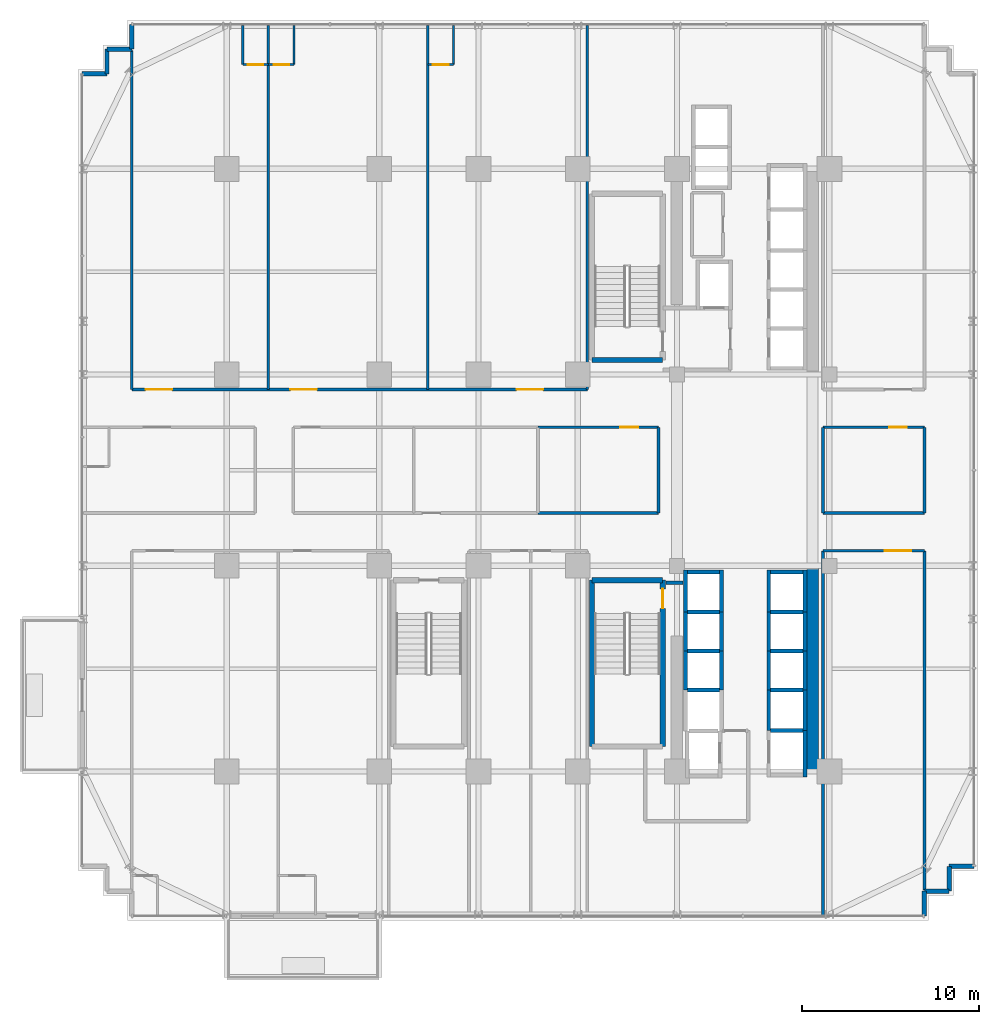
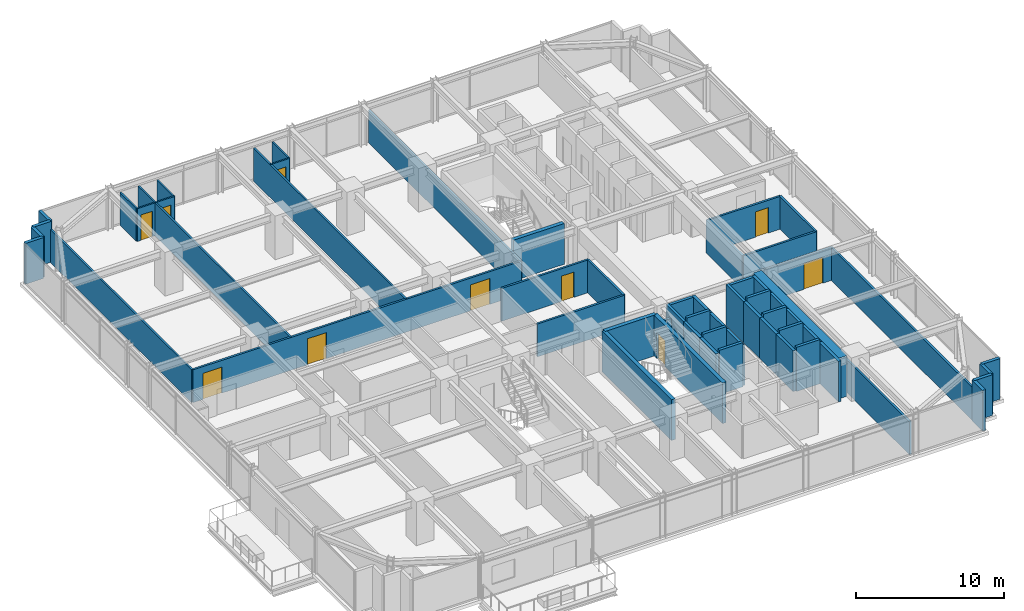
# One storey, part 32 of 37: 59 walls, 10 doors, 10 openings.
"""IFC4 building model written with IfcOpenShell, lengths in metres."""

from ifc_helpers import new_model, si_unit, direction, frame, frame_2d, origin, place, context, subcontext, project, spatial, rectangle, extrude, source, transform, mapped, material, layer, layer_set, type_object, element, fill, save


model = new_model("IFC4")

# Units and contexts
model_context = context("Model", 3, precision=1e-05, world=origin(), true_north=direction((0.0, 1.0)))
body_context = subcontext(model_context, "Body", "Model", "MODEL_VIEW")
ifc_project = project(units=[si_unit("LENGTHUNIT", "METRE"), si_unit("AREAUNIT", "SQUARE_METRE"), si_unit("VOLUMEUNIT", "CUBIC_METRE"), si_unit("PLANEANGLEUNIT", "RADIAN"), si_unit("MASSUNIT", "GRAM", prefix="KILO")], contexts=[model_context])

# Site, building, storey
site_placement = place(None, origin())
site = spatial("IfcSite", under=ifc_project, at=site_placement, CompositionType="ELEMENT")
building_placement = place(site_placement, origin())
building = spatial("IfcBuilding", under=site, at=building_placement, Name="Nahalor Promenade Grand Hotel", CompositionType="ELEMENT")
storey_placement = place(building_placement, frame((0.0, 0.0, 36.050048828125)))
storey = spatial("IfcBuildingStorey", under=building, at=storey_placement, Name="L07", CompositionType="ELEMENT", Elevation=36.050048828125)

# Walls
ifc_material_1 = material(Name="Concrete B-60 (C50/60)", Category="concrete")
ifc_layer_1 = layer(ifc_material_1, 0.64990234375)
ifc_layer_set_1 = layer_set([ifc_layer_1], Name="Concrete B-60 (C50/60)")
wall_type_1 = type_object("IfcWallType", Name="Wall-CoreShear-650", PredefinedType="SHEAR", material=ifc_layer_set_1)
shared_shape_1 = source(origin(), body_context, "Body", "SweptSolid", [
    extrude(rectangle(XDim=11.60009765625, YDim=0.64990234375, at=frame_2d((5.800048828125, 0.0))), origin(), (0.0, 0.0, 1.0), 3.369873046875),
])
wall_1_placement = place(storey_placement, frame((16.050048828125, -17.0, 0.0), z_axis=(0.0, 0.0, 1.0), x_axis=(0.0, 1.0, 0.0)))
element("IfcWall", 1, at=wall_1_placement, inside=storey, type_object=wall_type_1, Name="CWALL-L07-SE", PredefinedType="SHEAR", context=body_context, shape_type="MappedRepresentation", body=[
    mapped(shared_shape_1, transform((0.0, 0.0, 0.0), scale=1.0)),
])
ifc_material_2 = material(Name="Concrete B-50 (C40/50)", Category="concrete")
ifc_layer_2 = layer(ifc_material_2, 0.300048828125)
ifc_layer_set_2 = layer_set([ifc_layer_2], Name="Concrete B-50 (C40/50)")
wall_type_2 = type_object("IfcWallType", Name="Wall-ShaftShear-300", PredefinedType="SHEAR", material=ifc_layer_set_2)
shared_shape_2 = source(origin(), body_context, "Body", "SweptSolid", [
    extrude(rectangle(XDim=3.97998046875, YDim=0.300048828125, at=frame_2d((1.989990234375, 0.0))), origin(), (0.0, 0.0, 1.0), 3.369873046875),
])
for number, where, z_axis, x_axis, name in (
    (2, (3.610107421875, 6.2099609375, 0.0), (0.0, 0.0, 1.0), (1.0, 0.0, 0.0), "L07 Exit Stair ST1 Shaft Wall S"),
    (3, (3.610107421875, -6.2099609375, 0.0), (0.0, 0.0, 1.0), (1.0, 0.0, 0.0), "L07 Exit Stair ST2 Shaft Wall N"),
):
    element("IfcWall", number, at=place(storey_placement, frame(where, z_axis=z_axis, x_axis=x_axis)), inside=storey, type_object=wall_type_2, Name=name, PredefinedType="SHEAR", context=body_context, shape_type="MappedRepresentation", body=[
        mapped(shared_shape_2, transform((0.0, 0.0, 0.0), scale=1.0)),
    ])
shared_shape_3 = source(origin(), body_context, "Body", "SweptSolid", [
    extrude(rectangle(XDim=9.380126953125, YDim=0.300048828125, at=frame_2d((4.68994140625, 0.0))), origin(), (0.0, 0.0, 1.0), 3.369873046875),
])
wall_2_placement = place(storey_placement, frame((3.610107421875, -15.590087890625, 0.0), z_axis=(0.0, 0.0, 1.0), x_axis=(0.0, 1.0, 0.0)))
element("IfcWall", 4, at=wall_2_placement, inside=storey, type_object=wall_type_2, Name="L07 Exit Stair ST2 Shaft Wall W", PredefinedType="SHEAR", context=body_context, shape_type="MappedRepresentation", body=[
    mapped(shared_shape_3, transform((0.0, 0.0, 0.0), scale=1.0)),
])

# Wall, opening, door
wall_3_placement = place(storey_placement, frame((7.590087890625, -15.590087890625, 0.0), z_axis=(0.0, 0.0, 1.0), x_axis=(0.0, 1.0, 0.0)))
wall_3 = element("IfcWall", 5, at=wall_3_placement, inside=storey, type_object=wall_type_2, Name="L07 Exit Stair ST2 Shaft Wall E", PredefinedType="SHEAR", context=body_context, shape_type="MappedRepresentation", body=[
    mapped(shared_shape_3, transform((0.0, 0.0, 0.0), scale=1.0)),
])
opening_1_placement = place(wall_3_placement, frame((7.7900390625, 0.0, 0.0)))
opening_1 = element("IfcOpeningElement", 6, at=opening_1_placement, cuts=wall_3, Name="Opening D-ST1", PredefinedType="OPENING", context=body_context, shape_type="SweptSolid", body=[
    extrude(rectangle(XDim=1.10009765625, YDim=2.14990234375, at=frame_2d((0.550048828125, 1.074951171875))), frame((0.0, 0.159912109375, 0.0), z_axis=(0.0, -1.0, 0.0), x_axis=(1.0, 0.0, 0.0)), (0.0, 0.0, 1.0), 0.320068359375),
])
ifc_material_3 = material(Name="Steel S355JR", Category="steel")
door_type_1 = type_object("IfcDoorType", Name="Door-StairFire-1100", OperationType="NOTDEFINED", PredefinedType="DOOR", material=ifc_material_3)
shared_shape_4 = source(origin(), body_context, "Body", "SweptSolid", [
    extrude(rectangle(XDim=1.10009765625, YDim=2.14990234375, at=frame_2d((0.550048828125, 1.074951171875))), frame((0.0, 0.02490234375, 0.0), z_axis=(0.0, -1.0, 0.0), x_axis=(1.0, 0.0, 0.0)), (0.0, 0.0, 1.0), 0.050048828125),
])
door_1_placement = place(opening_1_placement, origin())
door_1 = element("IfcDoor", 7, at=door_1_placement, inside=storey, type_object=door_type_1, Name="DR-STAIR-ST2-L07", OperationType="SINGLE_SWING_RIGHT", OverallHeight=2.14990234375, OverallWidth=1.10009765625, PredefinedType="DOOR", context=body_context, shape_type="MappedRepresentation", body=[
    mapped(shared_shape_4, transform((0.0, 0.0, 0.0), scale=1.0)),
])
fill(opening_1, door_1)

# Walls
ifc_layer_3 = layer(ifc_material_2, 0.219970703125)
ifc_layer_set_3 = layer_set([ifc_layer_3], Name="Concrete B-50 (C40/50)")
wall_type_3 = type_object("IfcWallType", Name="Wall-LiftShaft-220", PredefinedType="SHEAR", material=ifc_layer_set_3)
shared_shape_5 = source(origin(), body_context, "Body", "SweptSolid", [
    extrude(rectangle(XDim=2.360107421875, YDim=0.219970703125, at=frame_2d((1.18017578125, 0.0))), origin(), (0.0, 0.0, 1.0), 3.369873046875),
])
for number, where, z_axis, x_axis, name in (
    (8, (13.580078125, -8.0, 0.0), (0.0, 0.0, 1.0), (0.0, 1.0, 0.0), "L07 Lift PL5 Hoistway Wall W"),
    (9, (15.6201171875, -8.0, 0.0), (0.0, 0.0, 1.0), (0.0, 1.0, 0.0), "L07 Lift PL5 Hoistway Wall E"),
    (10, (8.8798828125, -8.0, 0.0), (0.0, 0.0, 1.0), (0.0, 1.0, 0.0), "L07 Lift PL9 Hoistway Wall W"),
    (11, (10.919921875, -8.0, 0.0), (0.0, 0.0, 1.0), (0.0, 1.0, 0.0), "L07 Lift PL9 Hoistway Wall E"),
):
    element("IfcWall", number, at=place(storey_placement, frame(where, z_axis=z_axis, x_axis=x_axis)), inside=storey, type_object=wall_type_3, Name=name, PredefinedType="SHEAR", context=body_context, shape_type="MappedRepresentation", body=[
        mapped(shared_shape_5, transform((0.0, 0.0, 0.0), scale=1.0)),
    ])
shared_shape_6 = source(origin(), body_context, "Body", "SweptSolid", [
    extrude(rectangle(XDim=1.820068359375, YDim=0.219970703125, at=frame_2d((0.91015625, 0.0))), origin(), (0.0, 0.0, 1.0), 3.369873046875),
])
for number, where, z_axis, x_axis, name in (
    (12, (13.68994140625, -5.75, 0.0), (0.0, 0.0, 1.0), (1.0, 0.0, 0.0), "L07 Lift PL5 Hoistway Wall N"),
    (13, (8.989990234375, -5.75, 0.0), (0.0, 0.0, 1.0), (1.0, 0.0, 0.0), "L07 Lift PL9 Hoistway Wall N"),
):
    element("IfcWall", number, at=place(storey_placement, frame(where, z_axis=z_axis, x_axis=x_axis)), inside=storey, type_object=wall_type_3, Name=name, PredefinedType="SHEAR", context=body_context, shape_type="MappedRepresentation", body=[
        mapped(shared_shape_6, transform((0.0, 0.0, 0.0), scale=1.0)),
    ])
shared_shape_7 = source(origin(), body_context, "Body", "SweptSolid", [
    extrude(rectangle(XDim=1.820068359375, YDim=0.219970703125, at=frame_2d((0.91015625, 0.0))), origin(), (0.0, 0.0, 1.0), 3.64990234375),
])
for number, where, z_axis, x_axis, name in (
    (14, (13.68994140625, -8.0, 0.0), (0.0, 0.0, 1.0), (1.0, 0.0, 0.0), "L07 Lift PL6 Hoistway Wall N"),
    (15, (13.68994140625, -10.199951171875, 0.0), (0.0, 0.0, 1.0), (1.0, 0.0, 0.0), "L07 Lift PL7 Hoistway Wall N"),
    (16, (13.68994140625, -12.39990234375, 0.0), (0.0, 0.0, 1.0), (1.0, 0.0, 0.0), "L07 Lift PL8 Hoistway Wall N"),
    (17, (8.989990234375, -8.0, 0.0), (0.0, 0.0, 1.0), (1.0, 0.0, 0.0), "L07 Lift PL10 Hoistway Wall N"),
    (18, (8.989990234375, -10.199951171875, 0.0), (0.0, 0.0, 1.0), (1.0, 0.0, 0.0), "L07 Lift PL11 Hoistway Wall N"),
    (19, (8.989990234375, -12.39990234375, 0.0), (0.0, 0.0, 1.0), (1.0, 0.0, 0.0), "L07 Lift PL12 Hoistway Wall N"),
    (20, (13.68994140625, -14.699951171875, 0.0), (0.0, 0.0, 1.0), (1.0, 0.0, 0.0), "L07 Lift SV2 Hoistway Wall N"),
):
    element("IfcWall", number, at=place(storey_placement, frame(where, z_axis=z_axis, x_axis=x_axis)), inside=storey, type_object=wall_type_3, Name=name, PredefinedType="SHEAR", context=body_context, shape_type="MappedRepresentation", body=[
        mapped(shared_shape_7, transform((0.0, 0.0, 0.0), scale=1.0)),
    ])
shared_shape_8 = source(origin(), body_context, "Body", "SweptSolid", [
    extrude(rectangle(XDim=2.199951171875, YDim=0.219970703125, at=frame_2d((1.10009765625, 0.0))), origin(), (0.0, 0.0, 1.0), 3.369873046875),
])
for number, where, z_axis, x_axis, name in (
    (21, (13.580078125, -10.199951171875, 0.0), (0.0, 0.0, 1.0), (0.0, 1.0, 0.0), "L07 Lift PL6 Hoistway Wall W"),
    (22, (15.6201171875, -10.199951171875, 0.0), (0.0, 0.0, 1.0), (0.0, 1.0, 0.0), "L07 Lift PL6 Hoistway Wall E"),
    (23, (13.580078125, -12.39990234375, 0.0), (0.0, 0.0, 1.0), (0.0, 1.0, 0.0), "L07 Lift PL7 Hoistway Wall W"),
    (24, (15.6201171875, -12.39990234375, 0.0), (0.0, 0.0, 1.0), (0.0, 1.0, 0.0), "L07 Lift PL7 Hoistway Wall E"),
    (25, (8.8798828125, -10.199951171875, 0.0), (0.0, 0.0, 1.0), (0.0, 1.0, 0.0), "L07 Lift PL10 Hoistway Wall W"),
    (26, (10.919921875, -10.199951171875, 0.0), (0.0, 0.0, 1.0), (0.0, 1.0, 0.0), "L07 Lift PL10 Hoistway Wall E"),
    (27, (8.8798828125, -12.39990234375, 0.0), (0.0, 0.0, 1.0), (0.0, 1.0, 0.0), "L07 Lift PL11 Hoistway Wall W"),
    (28, (10.919921875, -12.39990234375, 0.0), (0.0, 0.0, 1.0), (0.0, 1.0, 0.0), "L07 Lift PL11 Hoistway Wall E"),
):
    element("IfcWall", number, at=place(storey_placement, frame(where, z_axis=z_axis, x_axis=x_axis)), inside=storey, type_object=wall_type_3, Name=name, PredefinedType="SHEAR", context=body_context, shape_type="MappedRepresentation", body=[
        mapped(shared_shape_8, transform((0.0, 0.0, 0.0), scale=1.0)),
    ])
shared_shape_9 = source(origin(), body_context, "Body", "SweptSolid", [
    extrude(rectangle(XDim=2.300048828125, YDim=0.219970703125, at=frame_2d((1.14990234375, 0.0))), origin(), (0.0, 0.0, 1.0), 3.369873046875),
])
for number, where, z_axis, x_axis, name in (
    (29, (13.580078125, -14.699951171875, 0.0), (0.0, 0.0, 1.0), (0.0, 1.0, 0.0), "L07 Lift PL8 Hoistway Wall W"),
    (30, (15.6201171875, -14.699951171875, 0.0), (0.0, 0.0, 1.0), (0.0, 1.0, 0.0), "L07 Lift PL8 Hoistway Wall E"),
):
    element("IfcWall", number, at=place(storey_placement, frame(where, z_axis=z_axis, x_axis=x_axis)), inside=storey, type_object=wall_type_3, Name=name, PredefinedType="SHEAR", context=body_context, shape_type="MappedRepresentation", body=[
        mapped(shared_shape_9, transform((0.0, 0.0, 0.0), scale=1.0)),
    ])
shared_shape_10 = source(origin(), body_context, "Body", "SweptSolid", [
    extrude(rectangle(XDim=2.610107421875, YDim=0.219970703125, at=frame_2d((1.30517578125, 0.0))), origin(), (0.0, 0.0, 1.0), 3.369873046875),
])
wall_4_placement = place(storey_placement, frame((15.6201171875, -17.31005859375, 0.0), z_axis=(0.0, 0.0, 1.0), x_axis=(0.0, 1.0, 0.0)))
element("IfcWall", 31, at=wall_4_placement, inside=storey, type_object=wall_type_3, Name="L07 Lift SV2 Hoistway Wall E", PredefinedType="SHEAR", context=body_context, shape_type="MappedRepresentation", body=[
    mapped(shared_shape_10, transform((0.0, 0.0, 0.0), scale=1.0)),
])
ifc_material_4 = material(Name="Concrete B-40 (C32/40)", Category="concrete")
ifc_layer_4 = layer(ifc_material_4, 0.25)
ifc_layer_set_4 = layer_set([ifc_layer_4], Name="Concrete B-40 (C32/40)")
wall_type_4 = type_object("IfcWallType", Name="Wall-BronzePier-250", PredefinedType="STANDARD", material=ifc_layer_set_4)
shared_shape_11 = source(origin(), body_context, "Body", "SweptSolid", [
    extrude(rectangle(XDim=1.39990234375, YDim=0.25, at=frame_2d((0.699951171875, 0.0))), origin(), (0.0, 0.0, 1.0), 3.369873046875),
])
for number, where, z_axis, x_axis, name in (
    (32, (22.360107421875, -25.159912109375, 0.0), (0.0, 0.0, 1.0), (0.0, 1.0, 0.0), "W-L07-SR-01"),
    (33, (22.360107421875, -23.760009765625, 0.0), (0.0, 0.0, 1.0), (1.0, 0.0, 0.0), "W-L07-SR-02"),
    (34, (23.760009765625, -23.760009765625, 0.0), (0.0, 0.0, 1.0), (0.0, 1.0, 0.0), "W-L07-SR-03"),
    (35, (23.760009765625, -22.360107421875, 0.0), (0.0, 0.0, 1.0), (1.0, 0.0, 0.0), "W-L07-SR-04"),
    (36, (-22.360107421875, 23.760009765625, 0.0), (0.0, 0.0, 1.0), (0.0, 1.0, 0.0), "W-L07-SR-09"),
    (37, (-23.760009765625, 23.760009765625, 0.0), (0.0, 0.0, 1.0), (1.0, 0.0, 0.0), "W-L07-SR-10"),
    (38, (-23.760009765625, 22.360107421875, 0.0), (0.0, 0.0, 1.0), (0.0, 1.0, 0.0), "W-L07-SR-11"),
    (39, (-25.159912109375, 22.360107421875, 0.0), (0.0, 0.0, 1.0), (1.0, 0.0, 0.0), "W-L07-SR-12"),
):
    element("IfcWall", number, at=place(storey_placement, frame(where, z_axis=z_axis, x_axis=x_axis)), inside=storey, type_object=wall_type_4, Name=name, PredefinedType="STANDARD", context=body_context, shape_type="MappedRepresentation", body=[
        mapped(shared_shape_11, transform((0.0, 0.0, 0.0), scale=1.0)),
    ])
ifc_layer_5 = layer(ifc_material_4, 0.199951171875)
ifc_layer_set_5 = layer_set([ifc_layer_5], Name="Concrete B-40 (C32/40)")
wall_type_5 = type_object("IfcWallType", Name="Wall-PartFire-200", PredefinedType="PARTITIONING", material=ifc_layer_set_5)
shared_shape_12 = source(origin(), body_context, "Body", "SweptSolid", [
    extrude(rectangle(XDim=0.969970703125, YDim=0.199951171875, at=frame_2d((0.48486328125, 0.0))), origin(), (0.0, 0.0, 1.0), 2.7099609375),
])
wall_5_placement = place(storey_placement, frame((7.77001953125, -6.35009765625, 0.0), z_axis=(0.0, 0.0, 1.0), x_axis=(1.0, 0.0, 0.0)))
element("IfcWall", 40, at=wall_5_placement, inside=storey, type_object=wall_type_5, Name="W-L07-FF2-N2", PredefinedType="PARTITIONING", context=body_context, shape_type="MappedRepresentation", body=[
    mapped(shared_shape_12, transform((0.0, 0.0, 0.0), scale=1.0)),
])

# Wall, opening, door
ifc_material_5 = material(Name="Acoustic Mineral Gypsum", Category="gypsum")
ifc_layer_6 = layer(ifc_material_5, 0.159912109375)
ifc_layer_set_6 = layer_set([ifc_layer_6], Name="Acoustic Mineral Gypsum")
wall_type_6 = type_object("IfcWallType", Name="Wall-PartCorridor-160", PredefinedType="PARTITIONING", material=ifc_layer_set_6)
shared_shape_13 = source(origin(), body_context, "Body", "SweptSolid", [
    extrude(rectangle(XDim=5.710205078125, YDim=0.159912109375, at=frame_2d((2.85498046875, 0.0))), origin(), (0.0, 0.0, 1.0), 2.7099609375),
])
wall_6_placement = place(storey_placement, frame((16.64990234375, -4.550048828125, 0.0), z_axis=(0.0, 0.0, 1.0), x_axis=(1.0, 0.0, 0.0)))
wall_6 = element("IfcWall", 41, at=wall_6_placement, inside=storey, type_object=wall_type_6, Name="W-L07-ESE-N", PredefinedType="PARTITIONING", context=body_context, shape_type="MappedRepresentation", body=[
    mapped(shared_shape_13, transform((0.0, 0.0, 0.0), scale=1.0)),
])
opening_2_placement = place(wall_6_placement, frame((3.47900390625, 0.0, 0.0)))
opening_2 = element("IfcOpeningElement", 42, at=opening_2_placement, cuts=wall_6, Name="Opening D-02", PredefinedType="OPENING", context=body_context, shape_type="SweptSolid", body=[
    extrude(rectangle(XDim=1.5, YDim=2.14990234375, at=frame_2d((0.75, 1.074951171875))), frame((0.0, 0.08984375, 0.0), z_axis=(0.0, -1.0, 0.0), x_axis=(1.0, 0.0, 0.0)), (0.0, 0.0, 1.0), 0.179931640625),
])
ifc_material_6 = material(Name="Fire-Rated Timber Composite", Category="wood")
door_type_2 = type_object("IfcDoorType", Name="Door-SuiteDouble-1500", OperationType="DOUBLE_DOOR_SINGLE_SWING", PredefinedType="DOOR", material=ifc_material_6)
shared_shape_14 = source(origin(), body_context, "Body", "SweptSolid", [
    extrude(rectangle(XDim=1.5, YDim=2.14990234375, at=frame_2d((0.75, 1.074951171875))), frame((0.0, 0.02490234375, 0.0), z_axis=(0.0, -1.0, 0.0), x_axis=(1.0, 0.0, 0.0)), (0.0, 0.0, 1.0), 0.050048828125),
])
door_2_placement = place(opening_2_placement, frame((1.5, 0.0, 0.0), z_axis=(0.0, 0.0, 1.0), x_axis=(-1.0, 0.0, 0.0)))
door_2 = element("IfcDoor", 43, at=door_2_placement, inside=storey, type_object=door_type_2, Name="DR-L07-ESE", OperationType="DOUBLE_DOOR_SINGLE_SWING", OverallHeight=2.14990234375, OverallWidth=1.5, PredefinedType="DOOR", context=body_context, shape_type="MappedRepresentation", body=[
    mapped(shared_shape_14, transform((0.0, 0.0, 0.0), scale=1.0)),
])
fill(opening_2, door_2)

# Wall
wall_7_placement = place(storey_placement, frame((16.64990234375, -2.419921875, 0.0), z_axis=(0.0, 0.0, 1.0), x_axis=(1.0, 0.0, 0.0)))
element("IfcWall", 44, at=wall_7_placement, inside=storey, type_object=wall_type_6, Name="W-L07-ECW-S", PredefinedType="PARTITIONING", context=body_context, shape_type="MappedRepresentation", body=[
    mapped(shared_shape_13, transform((0.0, 0.0, 0.0), scale=1.0)),
])

# Wall, opening, door
wall_8_placement = place(storey_placement, frame((16.64990234375, 2.419921875, 0.0), z_axis=(0.0, 0.0, 1.0), x_axis=(1.0, 0.0, 0.0)))
wall_8 = element("IfcWall", 45, at=wall_8_placement, inside=storey, type_object=wall_type_6, Name="W-L07-ECW-N", PredefinedType="PARTITIONING", context=body_context, shape_type="MappedRepresentation", body=[
    mapped(shared_shape_13, transform((0.0, 0.0, 0.0), scale=1.0)),
])
opening_3_placement = place(wall_8_placement, frame((3.72900390625, 0.0, 0.0)))
opening_3 = element("IfcOpeningElement", 46, at=opening_3_placement, cuts=wall_8, Name="Opening D-04", PredefinedType="OPENING", context=body_context, shape_type="SweptSolid", body=[
    extrude(rectangle(XDim=1.0, YDim=2.10009765625, at=frame_2d((0.5, 1.050048828125))), frame((0.0, 0.08984375, 0.0), z_axis=(0.0, -1.0, 0.0), x_axis=(1.0, 0.0, 0.0)), (0.0, 0.0, 1.0), 0.179931640625),
])
door_type_3 = type_object("IfcDoorType", Name="Door-ServiceFire-1000", OperationType="NOTDEFINED", PredefinedType="DOOR", material=ifc_material_3)
shared_shape_15 = source(origin(), body_context, "Body", "SweptSolid", [
    extrude(rectangle(XDim=1.0, YDim=2.10009765625, at=frame_2d((0.5, 1.050048828125))), frame((0.0, 0.02490234375, 0.0), z_axis=(0.0, -1.0, 0.0), x_axis=(1.0, 0.0, 0.0)), (0.0, 0.0, 1.0), 0.050048828125),
])
door_3_placement = place(opening_3_placement, frame((1.0, 0.0, 0.0), z_axis=(0.0, 0.0, 1.0), x_axis=(-1.0, 0.0, 0.0)))
door_3 = element("IfcDoor", 47, at=door_3_placement, inside=storey, type_object=door_type_3, Name="DR-L07-ECW", OperationType="SINGLE_SWING_LEFT", OverallHeight=2.10009765625, OverallWidth=1.0, PredefinedType="DOOR", context=body_context, shape_type="MappedRepresentation", body=[
    mapped(shared_shape_15, transform((0.0, 0.0, 0.0), scale=1.0)),
])
fill(opening_3, door_3)

# Walls
shared_shape_16 = source(origin(), body_context, "Body", "SweptSolid", [
    extrude(rectangle(XDim=20.550048828125, YDim=0.159912109375, at=frame_2d((10.27490234375, 0.0))), origin(), (0.0, 0.0, 1.0), 2.7099609375),
])
wall_9_placement = place(storey_placement, frame((16.64990234375, -25.10009765625, 0.0), z_axis=(0.0, 0.0, 1.0), x_axis=(0.0, 1.0, 0.0)))
element("IfcWall", 48, at=wall_9_placement, inside=storey, type_object=wall_type_6, Name="W-L07-ESE-W", PredefinedType="PARTITIONING", context=body_context, shape_type="MappedRepresentation", body=[
    mapped(shared_shape_16, transform((0.0, 0.0, 0.0), scale=1.0)),
])
shared_shape_17 = source(origin(), body_context, "Body", "SweptSolid", [
    extrude(rectangle(XDim=19.1298828125, YDim=0.159912109375, at=frame_2d((9.56494140625, 0.0))), origin(), (0.0, 0.0, 1.0), 2.7099609375),
])
wall_10_placement = place(storey_placement, frame((22.360107421875, -23.679931640625, 0.0), z_axis=(0.0, 0.0, 1.0), x_axis=(0.0, 1.0, 0.0)))
element("IfcWall", 49, at=wall_10_placement, inside=storey, type_object=wall_type_6, Name="W-L07-ESE-E", PredefinedType="PARTITIONING", context=body_context, shape_type="MappedRepresentation", body=[
    mapped(shared_shape_17, transform((0.0, 0.0, 0.0), scale=1.0)),
])

# Wall, openings, doors
shared_shape_18 = source(origin(), body_context, "Body", "SweptSolid", [
    extrude(rectangle(XDim=25.7001953125, YDim=0.159912109375, at=frame_2d((12.85009765625, 0.0))), origin(), (0.0, 0.0, 1.0), 2.7099609375),
])
wall_11_placement = place(storey_placement, frame((-22.360107421875, 4.550048828125, 0.0), z_axis=(0.0, 0.0, 1.0), x_axis=(1.0, 0.0, 0.0)))
wall_11 = element("IfcWall", 50, at=wall_11_placement, inside=storey, type_object=wall_type_6, Name="W-L07-CORR-N", PredefinedType="PARTITIONING", context=body_context, shape_type="MappedRepresentation", body=[
    mapped(shared_shape_18, transform((0.0, 0.0, 0.0), scale=1.0)),
])
opening_4_placement = place(wall_11_placement, frame((0.777099609375, 0.0, 0.0)))
opening_4 = element("IfcOpeningElement", 51, at=opening_4_placement, cuts=wall_11, Name="Opening D-02", PredefinedType="OPENING", context=body_context, shape_type="SweptSolid", body=[
    extrude(rectangle(XDim=1.5, YDim=2.14990234375, at=frame_2d((0.75, 1.074951171875))), frame((0.0, 0.08984375, 0.0), z_axis=(0.0, -1.0, 0.0), x_axis=(1.0, 0.0, 0.0)), (0.0, 0.0, 1.0), 0.179931640625),
])
opening_5_placement = place(wall_11_placement, frame((8.94091796875, 0.0, 0.0)))
opening_5 = element("IfcOpeningElement", 52, at=opening_5_placement, cuts=wall_11, Name="Opening D-02", PredefinedType="OPENING", context=body_context, shape_type="SweptSolid", body=[
    extrude(rectangle(XDim=1.5, YDim=2.14990234375, at=frame_2d((0.75, 1.074951171875))), frame((0.0, 0.08984375, 0.0), z_axis=(0.0, -1.0, 0.0), x_axis=(1.0, 0.0, 0.0)), (0.0, 0.0, 1.0), 0.179931640625),
])
opening_6_placement = place(wall_11_placement, frame((21.7109375, 0.0, 0.0)))
opening_6 = element("IfcOpeningElement", 53, at=opening_6_placement, cuts=wall_11, Name="Opening D-02", PredefinedType="OPENING", context=body_context, shape_type="SweptSolid", body=[
    extrude(rectangle(XDim=1.5, YDim=2.14990234375, at=frame_2d((0.75, 1.074951171875))), frame((0.0, 0.08984375, 0.0), z_axis=(0.0, -1.0, 0.0), x_axis=(1.0, 0.0, 0.0)), (0.0, 0.0, 1.0), 0.179931640625),
])
door_4_placement = place(opening_4_placement, origin())
door_4 = element("IfcDoor", 54, at=door_4_placement, inside=storey, type_object=door_type_2, Name="DR-L07-N1-ENT", OperationType="DOUBLE_DOOR_SINGLE_SWING", OverallHeight=2.14990234375, OverallWidth=1.5, PredefinedType="DOOR", context=body_context, shape_type="MappedRepresentation", body=[
    mapped(shared_shape_14, transform((0.0, 0.0, 0.0), scale=1.0)),
])
fill(opening_4, door_4)
door_5_placement = place(opening_5_placement, origin())
door_5 = element("IfcDoor", 55, at=door_5_placement, inside=storey, type_object=door_type_2, Name="DR-L07-N2-ENT", OperationType="DOUBLE_DOOR_SINGLE_SWING", OverallHeight=2.14990234375, OverallWidth=1.5, PredefinedType="DOOR", context=body_context, shape_type="MappedRepresentation", body=[
    mapped(shared_shape_14, transform((0.0, 0.0, 0.0), scale=1.0)),
])
fill(opening_5, door_5)
door_6_placement = place(opening_6_placement, origin())
door_6 = element("IfcDoor", 56, at=door_6_placement, inside=storey, type_object=door_type_2, Name="DR-L07-N3-ENT", OperationType="DOUBLE_DOOR_SINGLE_SWING", OverallHeight=2.14990234375, OverallWidth=1.5, PredefinedType="DOOR", context=body_context, shape_type="MappedRepresentation", body=[
    mapped(shared_shape_14, transform((0.0, 0.0, 0.0), scale=1.0)),
])
fill(opening_6, door_6)

# Walls
ifc_layer_7 = layer(ifc_material_5, 0.139892578125)
ifc_layer_set_7 = layer_set([ifc_layer_7], Name="Acoustic Mineral Gypsum")
wall_type_7 = type_object("IfcWallType", Name="Wall-PartSuite-140", PredefinedType="PARTITIONING", material=ifc_layer_set_7)
shared_shape_19 = source(origin(), body_context, "Body", "SweptSolid", [
    extrude(rectangle(XDim=19.1298828125, YDim=0.139892578125, at=frame_2d((9.56494140625, 0.0))), origin(), (0.0, 0.0, 1.0), 2.7099609375),
])
wall_12_placement = place(storey_placement, frame((-22.360107421875, 4.550048828125, 0.0), z_axis=(0.0, 0.0, 1.0), x_axis=(0.0, 1.0, 0.0)))
element("IfcWall", 57, at=wall_12_placement, inside=storey, type_object=wall_type_7, Name="W-L07-NW-ENDW", PredefinedType="PARTITIONING", context=body_context, shape_type="MappedRepresentation", body=[
    mapped(shared_shape_19, transform((0.0, 0.0, 0.0), scale=1.0)),
])
shared_shape_20 = source(origin(), body_context, "Body", "SweptSolid", [
    extrude(rectangle(XDim=20.550048828125, YDim=0.139892578125, at=frame_2d((10.27490234375, 0.0))), origin(), (0.0, 0.0, 1.0), 2.7099609375),
])
for number, where, z_axis, x_axis, name in (
    (58, (3.340087890625, 4.550048828125, 0.0), (0.0, 0.0, 1.0), (0.0, 1.0, 0.0), "W-L07-NW-ENDE"),
    (59, (-14.64990234375, 4.550048828125, 0.0), (0.0, 0.0, 1.0), (0.0, 1.0, 0.0), "W-L07-NP-1"),
    (60, (-5.655029296875, 4.550048828125, 0.0), (0.0, 0.0, 1.0), (0.0, 1.0, 0.0), "W-L07-NP-2"),
):
    element("IfcWall", number, at=place(storey_placement, frame(where, z_axis=z_axis, x_axis=x_axis)), inside=storey, type_object=wall_type_7, Name=name, PredefinedType="PARTITIONING", context=body_context, shape_type="MappedRepresentation", body=[
        mapped(shared_shape_20, transform((0.0, 0.0, 0.0), scale=1.0)),
    ])

# Wall, opening, door
ifc_layer_8 = layer(ifc_material_5, 0.1201171875)
ifc_layer_set_8 = layer_set([ifc_layer_8], Name="Acoustic Mineral Gypsum")
wall_type_8 = type_object("IfcWallType", Name="Wall-PartBath-120", PredefinedType="PARTITIONING", material=ifc_layer_set_8)
shared_shape_21 = source(origin(), body_context, "Body", "SweptSolid", [
    extrude(rectangle(XDim=1.4501953125, YDim=0.1201171875, at=frame_2d((0.72509765625, 0.0))), origin(), (0.0, 0.0, 1.0), 2.7099609375),
])
wall_13_placement = place(storey_placement, frame((-16.10009765625, 22.8798828125, 0.0), z_axis=(0.0, 0.0, 1.0), x_axis=(1.0, 0.0, 0.0)))
wall_13 = element("IfcWall", 61, at=wall_13_placement, inside=storey, type_object=wall_type_8, Name="W-L07-N1-BH", PredefinedType="PARTITIONING", context=body_context, shape_type="MappedRepresentation", body=[
    mapped(shared_shape_21, transform((0.0, 0.0, 0.0), scale=1.0)),
])
opening_7_placement = place(wall_13_placement, frame((0.284912109375, 0.0, 0.0)))
opening_7 = element("IfcOpeningElement", 62, at=opening_7_placement, cuts=wall_13, Name="Opening D-03", PredefinedType="OPENING", context=body_context, shape_type="SweptSolid", body=[
    extrude(rectangle(XDim=0.8798828125, YDim=2.10009765625, at=frame_2d((0.43994140625, 1.050048828125))), frame((0.0, 0.070068359375, 0.0), z_axis=(0.0, -1.0, 0.0), x_axis=(1.0, 0.0, 0.0)), (0.0, 0.0, 1.0), 0.14013671875),
])
door_type_4 = type_object("IfcDoorType", Name="Door-BathSwing-880", OperationType="NOTDEFINED", PredefinedType="DOOR", material=ifc_material_6)
shared_shape_22 = source(origin(), body_context, "Body", "SweptSolid", [
    extrude(rectangle(XDim=0.8798828125, YDim=2.10009765625, at=frame_2d((0.43994140625, 1.050048828125))), frame((0.0, 0.02490234375, 0.0), z_axis=(0.0, -1.0, 0.0), x_axis=(1.0, 0.0, 0.0)), (0.0, 0.0, 1.0), 0.050048828125),
])
door_7_placement = place(opening_7_placement, origin())
door_7 = element("IfcDoor", 63, at=door_7_placement, inside=storey, type_object=door_type_4, Name="DR-L07-N1-BATH", OperationType="SINGLE_SWING_LEFT", OverallHeight=2.10009765625, OverallWidth=0.8798828125, PredefinedType="DOOR", context=body_context, shape_type="MappedRepresentation", body=[
    mapped(shared_shape_22, transform((0.0, 0.0, 0.0), scale=1.0)),
])
fill(opening_7, door_7)

# Walls
shared_shape_23 = source(origin(), body_context, "Body", "SweptSolid", [
    extrude(rectangle(XDim=2.22021484375, YDim=0.1201171875, at=frame_2d((1.110107421875, 0.0))), origin(), (0.0, 0.0, 1.0), 2.7099609375),
])
for number, where, z_axis, x_axis, name in (
    (64, (-16.10009765625, 22.8798828125, 0.0), (0.0, 0.0, 1.0), (0.0, 1.0, 0.0), "W-L07-N1-BV"),
    (65, (-13.199951171875, 22.8798828125, 0.0), (0.0, 0.0, 1.0), (0.0, 1.0, 0.0), "W-L07-N2-BV"),
    (66, (-4.205078125, 22.8798828125, 0.0), (0.0, 0.0, 1.0), (0.0, 1.0, 0.0), "W-L07-N3-BV"),
):
    element("IfcWall", number, at=place(storey_placement, frame(where, z_axis=z_axis, x_axis=x_axis)), inside=storey, type_object=wall_type_8, Name=name, PredefinedType="PARTITIONING", context=body_context, shape_type="MappedRepresentation", body=[
        mapped(shared_shape_23, transform((0.0, 0.0, 0.0), scale=1.0)),
    ])

# Wall, opening, door
shared_shape_24 = source(origin(), body_context, "Body", "SweptSolid", [
    extrude(rectangle(XDim=1.449951171875, YDim=0.1201171875, at=frame_2d((0.72509765625, 0.0))), origin(), (0.0, 0.0, 1.0), 2.7099609375),
])
wall_14_placement = place(storey_placement, frame((-14.64990234375, 22.8798828125, 0.0), z_axis=(0.0, 0.0, 1.0), x_axis=(1.0, 0.0, 0.0)))
wall_14 = element("IfcWall", 67, at=wall_14_placement, inside=storey, type_object=wall_type_8, Name="W-L07-N2-BH", PredefinedType="PARTITIONING", context=body_context, shape_type="MappedRepresentation", body=[
    mapped(shared_shape_24, transform((0.0, 0.0, 0.0), scale=1.0)),
])
opening_8_placement = place(wall_14_placement, frame((0.284912109375, 0.0, 0.0)))
opening_8 = element("IfcOpeningElement", 68, at=opening_8_placement, cuts=wall_14, Name="Opening D-03", PredefinedType="OPENING", context=body_context, shape_type="SweptSolid", body=[
    extrude(rectangle(XDim=0.8798828125, YDim=2.10009765625, at=frame_2d((0.43994140625, 1.050048828125))), frame((0.0, 0.070068359375, 0.0), z_axis=(0.0, -1.0, 0.0), x_axis=(1.0, 0.0, 0.0)), (0.0, 0.0, 1.0), 0.14013671875),
])
door_8_placement = place(opening_8_placement, origin())
door_8 = element("IfcDoor", 69, at=door_8_placement, inside=storey, type_object=door_type_4, Name="DR-L07-N2-BATH", OperationType="SINGLE_SWING_RIGHT", OverallHeight=2.10009765625, OverallWidth=0.8798828125, PredefinedType="DOOR", context=body_context, shape_type="MappedRepresentation", body=[
    mapped(shared_shape_22, transform((0.0, 0.0, 0.0), scale=1.0)),
])
fill(opening_8, door_8)

wall_15_placement = place(storey_placement, frame((-5.655029296875, 22.8798828125, 0.0), z_axis=(0.0, 0.0, 1.0), x_axis=(1.0, 0.0, 0.0)))
wall_15 = element("IfcWall", 70, at=wall_15_placement, inside=storey, type_object=wall_type_8, Name="W-L07-N3-BH", PredefinedType="PARTITIONING", context=body_context, shape_type="MappedRepresentation", body=[
    mapped(shared_shape_24, transform((0.0, 0.0, 0.0), scale=1.0)),
])
opening_9_placement = place(wall_15_placement, frame((0.284912109375, 0.0, 0.0)))
opening_9 = element("IfcOpeningElement", 71, at=opening_9_placement, cuts=wall_15, Name="Opening D-03", PredefinedType="OPENING", context=body_context, shape_type="SweptSolid", body=[
    extrude(rectangle(XDim=0.8798828125, YDim=2.10009765625, at=frame_2d((0.43994140625, 1.050048828125))), frame((0.0, 0.070068359375, 0.0), z_axis=(0.0, -1.0, 0.0), x_axis=(1.0, 0.0, 0.0)), (0.0, 0.0, 1.0), 0.14013671875),
])
door_9_placement = place(opening_9_placement, origin())
door_9 = element("IfcDoor", 72, at=door_9_placement, inside=storey, type_object=door_type_4, Name="DR-L07-N3-BATH", OperationType="SINGLE_SWING_LEFT", OverallHeight=2.10009765625, OverallWidth=0.8798828125, PredefinedType="DOOR", context=body_context, shape_type="MappedRepresentation", body=[
    mapped(shared_shape_22, transform((0.0, 0.0, 0.0), scale=1.0)),
])
fill(opening_9, door_9)

# Walls
shared_shape_25 = source(origin(), body_context, "Body", "SweptSolid", [
    extrude(rectangle(XDim=4.83984375, YDim=0.159912109375, at=frame_2d((2.419921875, 0.0))), origin(), (0.0, 0.0, 1.0), 2.7099609375),
])
for number, where, z_axis, x_axis, name in (
    (73, (7.35009765625, -2.419921875, 0.0), (0.0, 0.0, 1.0), (0.0, 1.0, 0.0), "W-L07-CM3-E"),
    (74, (16.64990234375, -2.419921875, 0.0), (0.0, 0.0, 1.0), (0.0, 1.0, 0.0), "W-L07-ECW-W"),
    (75, (22.360107421875, -2.419921875, 0.0), (0.0, 0.0, 1.0), (0.0, 1.0, 0.0), "W-L07-ECW-E"),
):
    element("IfcWall", number, at=place(storey_placement, frame(where, z_axis=z_axis, x_axis=x_axis)), inside=storey, type_object=wall_type_6, Name=name, PredefinedType="PARTITIONING", context=body_context, shape_type="MappedRepresentation", body=[
        mapped(shared_shape_25, transform((0.0, 0.0, 0.0), scale=1.0)),
    ])
shared_shape_26 = source(origin(), body_context, "Body", "SweptSolid", [
    extrude(rectangle(XDim=6.798095703125, YDim=0.159912109375, at=frame_2d((3.39892578125, 0.0))), origin(), (0.0, 0.0, 1.0), 2.7099609375),
])
wall_16_placement = place(storey_placement, frame((0.552001953125, -2.419921875, 0.0), z_axis=(0.0, 0.0, 1.0), x_axis=(1.0, 0.0, 0.0)))
element("IfcWall", 76, at=wall_16_placement, inside=storey, type_object=wall_type_6, Name="W-L07-CM3-S", PredefinedType="PARTITIONING", context=body_context, shape_type="MappedRepresentation", body=[
    mapped(shared_shape_26, transform((0.0, 0.0, 0.0), scale=1.0)),
])

# Wall, opening, door
wall_17_placement = place(storey_placement, frame((0.552001953125, 2.419921875, 0.0), z_axis=(0.0, 0.0, 1.0), x_axis=(1.0, 0.0, 0.0)))
wall_17 = element("IfcWall", 77, at=wall_17_placement, inside=storey, type_object=wall_type_6, Name="W-L07-CM3-N", PredefinedType="PARTITIONING", context=body_context, shape_type="MappedRepresentation", body=[
    mapped(shared_shape_26, transform((0.0, 0.0, 0.0), scale=1.0)),
])
opening_10_placement = place(wall_17_placement, frame((4.65087890625, 0.0, 0.0)))
opening_10 = element("IfcOpeningElement", 78, at=opening_10_placement, cuts=wall_17, Name="Opening D-04", PredefinedType="OPENING", context=body_context, shape_type="SweptSolid", body=[
    extrude(rectangle(XDim=1.0, YDim=2.10009765625, at=frame_2d((0.5, 1.050048828125))), frame((0.0, 0.08984375, 0.0), z_axis=(0.0, -1.0, 0.0), x_axis=(1.0, 0.0, 0.0)), (0.0, 0.0, 1.0), 0.179931640625),
])
door_10_placement = place(opening_10_placement, frame((1.0, 0.0, 0.0), z_axis=(0.0, 0.0, 1.0), x_axis=(-1.0, 0.0, 0.0)))
door_10 = element("IfcDoor", 79, at=door_10_placement, inside=storey, type_object=door_type_3, Name="DR-L07-CM3", OperationType="SINGLE_SWING_RIGHT", OverallHeight=2.10009765625, OverallWidth=1.0, PredefinedType="DOOR", context=body_context, shape_type="MappedRepresentation", body=[
    mapped(shared_shape_15, transform((0.0, 0.0, 0.0), scale=1.0)),
])
fill(opening_10, door_10)

save(model, "model.ifc")
